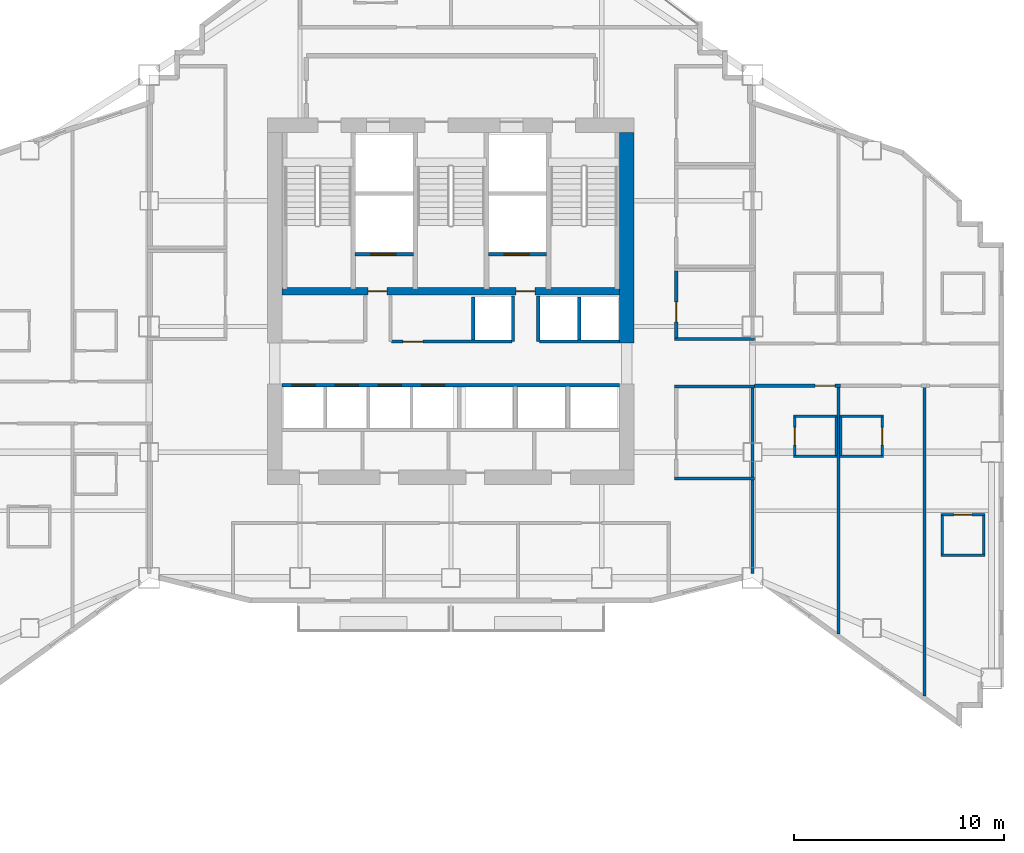
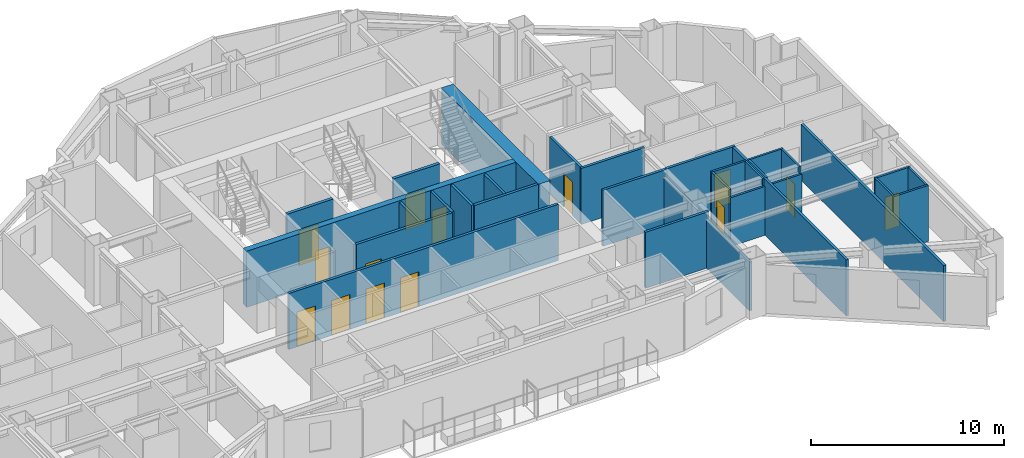
# One storey, part 10 of 15: 32 walls, 14 doors, 14 openings.
"""IFC4 building model written with IfcOpenShell, lengths in metres."""

from ifc_helpers import new_model, si_unit, direction, frame, frame_2d, origin, place, context, subcontext, project, spatial, rectangle, extrude, material, layer, layer_set, type_object, element, fill, save


model = new_model("IFC4")

# Units and contexts
model_context = context("Model", 3, precision=1e-05, world=origin(), true_north=direction((0.0, 1.0)))
body_context = subcontext(model_context, "Body", "Model", "MODEL_VIEW")
ifc_project = project(units=[si_unit("LENGTHUNIT", "METRE"), si_unit("AREAUNIT", "SQUARE_METRE"), si_unit("VOLUMEUNIT", "CUBIC_METRE"), si_unit("PLANEANGLEUNIT", "RADIAN"), si_unit("MASSUNIT", "GRAM", prefix="KILO")], contexts=[model_context])

# Site, building, storey
site_placement = place(None, origin())
site = spatial("IfcSite", under=ifc_project, at=site_placement, CompositionType="ELEMENT")
building_placement = place(site_placement, origin())
building = spatial("IfcBuilding", under=site, at=building_placement, Name="Haolan Belvedere Tower", CompositionType="ELEMENT")
storey_placement = place(building_placement, frame((0.0, 0.0, 156.199951171875)))
storey = spatial("IfcBuildingStorey", under=building, at=storey_placement, Name="L39", CompositionType="ELEMENT", Elevation=156.199951171875)

# Walls
ifc_material_1 = material(Name="Concrete C60/75", Category="concrete")
ifc_layer_1 = layer(ifc_material_1, 0.699951171875, Name="Concrete C60/75")
ifc_layer_set_1 = layer_set([ifc_layer_1], Name="Concrete C60/75")
wall_type_1 = type_object("IfcWallType", Name="WL-CORE-700", PredefinedType="SHEAR", material=ifc_layer_set_1)
wall_1_placement = place(storey_placement, frame((46.800048828125, 32.800048828125, 0.0), z_axis=(0.0, 0.0, 1.0), x_axis=(0.0, 1.0, 0.0)))
element("IfcWall", 1, at=wall_1_placement, inside=storey, type_object=wall_type_1, Name="L39 central core shear wall EN", PredefinedType="SHEAR", context=body_context, shape_type="SweptSolid", body=[
    extrude(rectangle(XDim=10.050048828125, YDim=0.699951171875, at=frame_2d((5.02490234375, 0.0))), origin(), (0.0, 0.0, 1.0), 3.5400390625),
])
ifc_material_2 = material(Name="Double gypsum acoustic stud partition", Category="masonry")
ifc_layer_2 = layer(ifc_material_2, 0.14990234375, Name="Double gypsum acoustic stud partition")
ifc_layer_set_2 = layer_set([ifc_layer_2], Name="Double gypsum acoustic stud partition")
wall_type_2 = type_object("IfcWallType", Name="WL-PART-150", PredefinedType="PARTITIONING", material=ifc_layer_set_2)
wall_2_placement = place(storey_placement, frame((49.080078125, 33.0, 0.0), z_axis=(0.0, 0.0, 1.0), x_axis=(1.0, 0.0, 0.0)))
element("IfcWall", 2, at=wall_2_placement, inside=storey, type_object=wall_type_2, Name="L39 interior partition IW-L39-AWC-S", PredefinedType="PARTITIONING", context=body_context, shape_type="SweptSolid", body=[
    extrude(rectangle(XDim=3.7998046875, YDim=0.14990234375, at=frame_2d((1.89990234375, 0.0))), origin(), (0.0, 0.0, 1.0), 3.5400390625),
])

# Wall, opening, door
wall_3_placement = place(storey_placement, frame((49.159912109375, 33.06005859375, 0.0), z_axis=(0.0, 0.0, 1.0), x_axis=(0.0, 1.0, 0.0)))
wall_3 = element("IfcWall", 3, at=wall_3_placement, inside=storey, type_object=wall_type_2, Name="L39 interior partition IW-L39-AWC-W", PredefinedType="PARTITIONING", context=body_context, shape_type="SweptSolid", body=[
    extrude(rectangle(XDim=3.179931640625, YDim=0.14990234375, at=frame_2d((1.58984375, 0.0))), origin(), (0.0, 0.0, 1.0), 3.5400390625),
])
opening_1_placement = place(wall_3_placement, frame((0.760009765625, 0.0, 0.0)))
opening_1 = element("IfcOpeningElement", 4, at=opening_1_placement, cuts=wall_3, Name="Opening ID-03", PredefinedType="OPENING", context=body_context, shape_type="SweptSolid", body=[
    extrude(rectangle(XDim=0.949951171875, YDim=2.1201171875, at=frame_2d((0.47509765625, 1.06005859375))), frame((0.0, 0.0849609375, 0.0), z_axis=(0.0, -1.0, 0.0), x_axis=(1.0, 0.0, 0.0)), (0.0, 0.0, 1.0), 0.169921875),
])
ifc_material_3 = material(Name="Painted solid-core timber", Category="wood")
door_type_1 = type_object("IfcDoorType", Name="DR-INT-950", OperationType="NOTDEFINED", PredefinedType="DOOR", material=ifc_material_3)
door_1_placement = place(opening_1_placement, origin())
door_1 = element("IfcDoor", 5, at=door_1_placement, inside=storey, type_object=door_type_1, Name="L39 door ID-L39-AWC", OperationType="SINGLE_SWING_LEFT", OverallHeight=2.1201171875, OverallWidth=0.949951171875, PredefinedType="DOOR", context=body_context, shape_type="SweptSolid", body=[
    extrude(rectangle(XDim=0.949951171875, YDim=2.1201171875, at=frame_2d((0.47509765625, 1.06005859375))), frame((0.0, 0.02490234375, 0.0), z_axis=(0.0, -1.0, 0.0), x_axis=(1.0, 0.0, 0.0)), (0.0, 0.0, 1.0), 0.050048828125),
])
fill(opening_1, door_1)

# Walls
for number, where, z_axis, x_axis, name in (
    (6, (49.080078125, 30.72998046875, 0.0), (0.0, 0.0, 1.0), (1.0, 0.0, 0.0), "L39 interior partition IW-L39-PKTE-N"),
    (7, (49.080078125, 26.35009765625, 0.0), (0.0, 0.0, 1.0), (1.0, 0.0, 0.0), "L39 interior partition IW-L39-PKTE-S"),
):
    element("IfcWall", number, at=place(storey_placement, frame(where, z_axis=z_axis, x_axis=x_axis)), inside=storey, type_object=wall_type_2, Name=name, PredefinedType="PARTITIONING", context=body_context, shape_type="SweptSolid", body=[
        extrude(rectangle(XDim=3.7998046875, YDim=0.14990234375, at=frame_2d((1.89990234375, 0.0))), origin(), (0.0, 0.0, 1.0), 3.5400390625),
    ])
wall_4_placement = place(storey_placement, frame((52.800048828125, 26.409912109375, 0.0), z_axis=(0.0, 0.0, 1.0), x_axis=(0.0, 1.0, 0.0)))
element("IfcWall", 8, at=wall_4_placement, inside=storey, type_object=wall_type_2, Name="L39 interior partition IW-L39-PKTE-E", PredefinedType="PARTITIONING", context=body_context, shape_type="SweptSolid", body=[
    extrude(rectangle(XDim=4.260009765625, YDim=0.14990234375, at=frame_2d((2.1298828125, 0.0))), origin(), (0.0, 0.0, 1.0), 3.0849609375),
])

# Wall, opening, door
wall_5_placement = place(storey_placement, frame((52.882080078125, 30.77001953125, 0.0), z_axis=(0.0, 0.0, 1.0), x_axis=(1.0, 0.0, 0.0)))
wall_5 = element("IfcWall", 9, at=wall_5_placement, inside=storey, type_object=wall_type_2, Name="L39 interior partition IW-L39-T4S1-N", PredefinedType="PARTITIONING", context=body_context, shape_type="SweptSolid", body=[
    extrude(rectangle(XDim=4.117919921875, YDim=0.14990234375, at=frame_2d((2.05908203125, 0.0))), origin(), (0.0, 0.0, 1.0), 3.5400390625),
])
opening_2_placement = place(wall_5_placement, frame((3.856201171875, 0.0, 0.0), z_axis=(0.0, 0.0, 1.0), x_axis=(-1.0, 0.0, 0.0)))
opening_2 = element("IfcOpeningElement", 10, at=opening_2_placement, cuts=wall_5, Name="Opening ID-02", PredefinedType="OPENING", context=body_context, shape_type="SweptSolid", body=[
    extrude(rectangle(XDim=0.949951171875, YDim=2.14990234375, at=frame_2d((0.47509765625, 1.074951171875))), frame((0.0, 0.0849609375, 0.0), z_axis=(0.0, -1.0, 0.0), x_axis=(1.0, 0.0, 0.0)), (0.0, 0.0, 1.0), 0.169921875),
])
ifc_material_4 = material(Name="Acoustic oak veneer fire-rated timber", Category="wood")
door_type_2 = type_object("IfcDoorType", Name="DR-GUEST-950", OperationType="NOTDEFINED", PredefinedType="DOOR", material=ifc_material_4)
door_2_placement = place(opening_2_placement, origin())
door_2 = element("IfcDoor", 11, at=door_2_placement, inside=storey, type_object=door_type_2, Name="L39 door ID-L39-T4S1-ENT", OperationType="SINGLE_SWING_RIGHT", OverallHeight=2.14990234375, OverallWidth=0.949951171875, PredefinedType="DOOR", context=body_context, shape_type="SweptSolid", body=[
    extrude(rectangle(XDim=0.949951171875, YDim=2.14990234375, at=frame_2d((0.47509765625, 1.074951171875))), frame((0.0, 0.02490234375, 0.0), z_axis=(0.0, -1.0, 0.0), x_axis=(1.0, 0.0, 0.0)), (0.0, 0.0, 1.0), 0.050048828125),
])
fill(opening_2, door_2)

# Walls
wall_6_placement = place(storey_placement, frame((52.800048828125, 21.818603515625, 0.0), z_axis=(0.0, 0.0, 1.0), x_axis=(0.0, 1.0, 0.0)))
element("IfcWall", 12, at=wall_6_placement, inside=storey, type_object=wall_type_2, Name="L39 interior partition IW-L39-T4S1-W", PredefinedType="PARTITIONING", context=body_context, shape_type="SweptSolid", body=[
    extrude(rectangle(XDim=4.471435546875, YDim=0.14990234375, at=frame_2d((2.23583984375, 0.0))), origin(), (0.0, 0.0, 1.0), 3.0849609375),
])
wall_7_placement = place(storey_placement, frame((56.89990234375, 18.92529296875, 0.0), z_axis=(0.0, 0.0, 1.0), x_axis=(0.0, 1.0, 0.0)))
element("IfcWall", 13, at=wall_7_placement, inside=storey, type_object=wall_type_2, Name="L39 interior partition IW-L39-T4S1-E", PredefinedType="PARTITIONING", context=body_context, shape_type="SweptSolid", body=[
    extrude(rectangle(XDim=11.78466796875, YDim=0.14990234375, at=frame_2d((5.892333984375, 0.0))), origin(), (0.0, 0.0, 1.0), 3.5400390625),
])
wall_8_placement = place(storey_placement, frame((61.010009765625, 15.966064453125, 0.0), z_axis=(0.0, 0.0, 1.0), x_axis=(0.0, 1.0, 0.0)))
element("IfcWall", 14, at=wall_8_placement, inside=storey, type_object=wall_type_2, Name="L39 interior partition IW-L39-T4S2-E", PredefinedType="PARTITIONING", context=body_context, shape_type="SweptSolid", body=[
    extrude(rectangle(XDim=14.743896484375, YDim=0.14990234375, at=frame_2d((7.3720703125, 0.0))), origin(), (0.0, 0.0, 1.0), 3.5400390625),
])
ifc_material_5 = material(Name="Gypsum fire shaftwall assembly", Category="masonry")
ifc_layer_3 = layer(ifc_material_5, 0.1650390625, Name="Gypsum fire shaftwall assembly")
ifc_layer_set_3 = layer_set([ifc_layer_3], Name="Gypsum fire shaftwall assembly")
wall_type_3 = type_object("IfcWallType", Name="WL-SHAFT-160", PredefinedType="SOLIDWALL", material=ifc_layer_set_3)
for number, where, z_axis, x_axis, name in (
    (15, (41.3701171875, 32.8798828125, 0.0), (0.0, 0.0, 1.0), (0.0, 1.0, 0.0), "L39 interior partition IW-L39-SVP-W-SV2"),
    (16, (42.570068359375, 32.8798828125, 0.0), (0.0, 0.0, 1.0), (0.0, 1.0, 0.0), "L39 interior partition IW-L39-SVP-E-SV2"),
):
    element("IfcWall", number, at=place(storey_placement, frame(where, z_axis=z_axis, x_axis=x_axis)), inside=storey, type_object=wall_type_3, Name=name, PredefinedType="SOLIDWALL", context=body_context, shape_type="SweptSolid", body=[
        extrude(rectangle(XDim=2.170166015625, YDim=0.14990234375, at=frame_2d((1.0849609375, 0.0))), origin(), (0.0, 0.0, 1.0), 3.5400390625),
    ])

# Wall, opening, door
wall_9_placement = place(storey_placement, frame((35.570068359375, 32.8798828125, 0.0), z_axis=(0.0, 0.0, 1.0), x_axis=(1.0, 0.0, 0.0)))
wall_9 = element("IfcWall", 17, at=wall_9_placement, inside=storey, type_object=wall_type_3, Name="L39 interior partition IW-L39-ROW-PN2", PredefinedType="SOLIDWALL", context=body_context, shape_type="SweptSolid", body=[
    extrude(rectangle(XDim=5.739990234375, YDim=0.159912109375, at=frame_2d((2.8701171875, 0.0))), origin(), (0.0, 0.0, 1.0), 3.5400390625),
])
opening_3_placement = place(wall_9_placement, frame((1.489990234375, 0.0, 0.0), z_axis=(0.0, 0.0, 1.0), x_axis=(-1.0, 0.0, 0.0)))
opening_3 = element("IfcOpeningElement", 18, at=opening_3_placement, cuts=wall_9, Name="Opening ID-03", PredefinedType="OPENING", context=body_context, shape_type="SweptSolid", body=[
    extrude(rectangle(XDim=0.949951171875, YDim=2.1201171875, at=frame_2d((0.47509765625, 1.06005859375))), frame((0.0, 0.08984375, 0.0), z_axis=(0.0, -1.0, 0.0), x_axis=(1.0, 0.0, 0.0)), (0.0, 0.0, 1.0), 0.179931640625),
])
door_3_placement = place(opening_3_placement, origin())
door_3 = element("IfcDoor", 19, at=door_3_placement, inside=storey, type_object=door_type_1, Name="L39 door ID-L39-CD-RPLE", OperationType="SINGLE_SWING_RIGHT", OverallHeight=2.1201171875, OverallWidth=0.949951171875, PredefinedType="DOOR", context=body_context, shape_type="SweptSolid", body=[
    extrude(rectangle(XDim=0.949951171875, YDim=2.1201171875, at=frame_2d((0.47509765625, 1.06005859375))), frame((0.0, 0.02490234375, 0.0), z_axis=(0.0, -1.0, 0.0), x_axis=(1.0, 0.0, 0.0)), (0.0, 0.0, 1.0), 0.050048828125),
])
fill(opening_3, door_3)

# Walls
wall_10_placement = place(storey_placement, frame((42.6298828125, 32.8798828125, 0.0), z_axis=(0.0, 0.0, 1.0), x_axis=(1.0, 0.0, 0.0)))
element("IfcWall", 20, at=wall_10_placement, inside=storey, type_object=wall_type_3, Name="L39 interior partition IW-L39-ROW-PN3", PredefinedType="SOLIDWALL", context=body_context, shape_type="SweptSolid", body=[
    extrude(rectangle(XDim=3.820068359375, YDim=0.159912109375, at=frame_2d((1.91015625, 0.0))), origin(), (0.0, 0.0, 1.0), 3.5400390625),
])
for number, where, z_axis, x_axis, name in (
    (21, (39.469970703125, 32.949951171875, 0.0), (0.0, 0.0, 1.0), (0.0, 1.0, 0.0), "L39 interior partition IW-L39-DIV-PL4R"),
    (22, (44.530029296875, 32.949951171875, 0.0), (0.0, 0.0, 1.0), (0.0, 1.0, 0.0), "L39 interior partition IW-L39-DIV-PH2"),
):
    element("IfcWall", number, at=place(storey_placement, frame(where, z_axis=z_axis, x_axis=x_axis)), inside=storey, type_object=wall_type_3, Name=name, PredefinedType="SOLIDWALL", context=body_context, shape_type="SweptSolid", body=[
        extrude(rectangle(XDim=2.050048828125, YDim=0.14990234375, at=frame_2d((1.02490234375, 0.0))), origin(), (0.0, 0.0, 1.0), 3.5400390625),
    ])

# Wall, openings, doors
wall_11_placement = place(storey_placement, frame((30.35009765625, 30.800048828125, 0.0), z_axis=(0.0, 0.0, 1.0), x_axis=(1.0, 0.0, 0.0)))
wall_11 = element("IfcWall", 23, at=wall_11_placement, inside=storey, type_object=wall_type_3, Name="L39 interior partition IW-L39-ROW-PS", PredefinedType="SOLIDWALL", context=body_context, shape_type="SweptSolid", body=[
    extrude(rectangle(XDim=16.099853515625, YDim=0.159912109375, at=frame_2d((8.0498046875, 0.0))), origin(), (0.0, 0.0, 1.0), 3.5400390625),
])
opening_4_placement = place(wall_11_placement, frame((0.469970703125, 0.0, 0.0)))
opening_4 = element("IfcOpeningElement", 24, at=opening_4_placement, cuts=wall_11, Name="Opening LD-01", PredefinedType="OPENING", context=body_context, shape_type="SweptSolid", body=[
    extrude(rectangle(XDim=1.10009765625, YDim=2.199951171875, at=frame_2d((0.550048828125, 1.10009765625))), frame((0.0, 0.08984375, 0.0), z_axis=(0.0, -1.0, 0.0), x_axis=(1.0, 0.0, 0.0)), (0.0, 0.0, 1.0), 0.179931640625),
])
opening_5_placement = place(wall_11_placement, frame((2.530029296875, 0.0, 0.0)))
opening_5 = element("IfcOpeningElement", 25, at=opening_5_placement, cuts=wall_11, Name="Opening LD-01", PredefinedType="OPENING", context=body_context, shape_type="SweptSolid", body=[
    extrude(rectangle(XDim=1.10009765625, YDim=2.199951171875, at=frame_2d((0.550048828125, 1.10009765625))), frame((0.0, 0.08984375, 0.0), z_axis=(0.0, -1.0, 0.0), x_axis=(1.0, 0.0, 0.0)), (0.0, 0.0, 1.0), 0.179931640625),
])
opening_6_placement = place(wall_11_placement, frame((4.590087890625, 0.0, 0.0)))
opening_6 = element("IfcOpeningElement", 26, at=opening_6_placement, cuts=wall_11, Name="Opening LD-01", PredefinedType="OPENING", context=body_context, shape_type="SweptSolid", body=[
    extrude(rectangle(XDim=1.10009765625, YDim=2.199951171875, at=frame_2d((0.550048828125, 1.10009765625))), frame((0.0, 0.08984375, 0.0), z_axis=(0.0, -1.0, 0.0), x_axis=(1.0, 0.0, 0.0)), (0.0, 0.0, 1.0), 0.179931640625),
])
opening_7_placement = place(wall_11_placement, frame((6.64990234375, 0.0, 0.0)))
opening_7 = element("IfcOpeningElement", 27, at=opening_7_placement, cuts=wall_11, Name="Opening LD-01", PredefinedType="OPENING", context=body_context, shape_type="SweptSolid", body=[
    extrude(rectangle(XDim=1.10009765625, YDim=2.199951171875, at=frame_2d((0.550048828125, 1.10009765625))), frame((0.0, 0.08984375, 0.0), z_axis=(0.0, -1.0, 0.0), x_axis=(1.0, 0.0, 0.0)), (0.0, 0.0, 1.0), 0.179931640625),
])
ifc_material_6 = material(Name="Brushed champagne stainless steel 316L", Category="steel")
door_type_3 = type_object("IfcDoorType", Name="DR-LIFT-1100", OperationType="SLIDING_TO_LEFT", PredefinedType="DOOR", material=ifc_material_6)
door_4_placement = place(opening_4_placement, origin())
door_4 = element("IfcDoor", 28, at=door_4_placement, inside=storey, type_object=door_type_3, Name="L39 door ID-L39-LD-PM1", OperationType="SLIDING_TO_LEFT", OverallHeight=2.199951171875, OverallWidth=1.10009765625, PredefinedType="DOOR", context=body_context, shape_type="SweptSolid", body=[
    extrude(rectangle(XDim=1.10009765625, YDim=2.199951171875, at=frame_2d((0.550048828125, 1.10009765625))), frame((0.0, 0.02490234375, 0.0), z_axis=(0.0, -1.0, 0.0), x_axis=(1.0, 0.0, 0.0)), (0.0, 0.0, 1.0), 0.050048828125),
])
fill(opening_4, door_4)
door_5_placement = place(opening_5_placement, origin())
door_5 = element("IfcDoor", 29, at=door_5_placement, inside=storey, type_object=door_type_3, Name="L39 door ID-L39-LD-PM2", OperationType="SLIDING_TO_LEFT", OverallHeight=2.199951171875, OverallWidth=1.10009765625, PredefinedType="DOOR", context=body_context, shape_type="SweptSolid", body=[
    extrude(rectangle(XDim=1.10009765625, YDim=2.199951171875, at=frame_2d((0.550048828125, 1.10009765625))), frame((0.0, 0.02490234375, 0.0), z_axis=(0.0, -1.0, 0.0), x_axis=(1.0, 0.0, 0.0)), (0.0, 0.0, 1.0), 0.050048828125),
])
fill(opening_5, door_5)
door_6_placement = place(opening_6_placement, origin())
door_6 = element("IfcDoor", 30, at=door_6_placement, inside=storey, type_object=door_type_3, Name="L39 door ID-L39-LD-PM3", OperationType="SLIDING_TO_LEFT", OverallHeight=2.199951171875, OverallWidth=1.10009765625, PredefinedType="DOOR", context=body_context, shape_type="SweptSolid", body=[
    extrude(rectangle(XDim=1.10009765625, YDim=2.199951171875, at=frame_2d((0.550048828125, 1.10009765625))), frame((0.0, 0.02490234375, 0.0), z_axis=(0.0, -1.0, 0.0), x_axis=(1.0, 0.0, 0.0)), (0.0, 0.0, 1.0), 0.050048828125),
])
fill(opening_6, door_6)
door_7_placement = place(opening_7_placement, origin())
door_7 = element("IfcDoor", 31, at=door_7_placement, inside=storey, type_object=door_type_3, Name="L39 door ID-L39-LD-PM4", OperationType="SLIDING_TO_LEFT", OverallHeight=2.199951171875, OverallWidth=1.10009765625, PredefinedType="DOOR", context=body_context, shape_type="SweptSolid", body=[
    extrude(rectangle(XDim=1.10009765625, YDim=2.199951171875, at=frame_2d((0.550048828125, 1.10009765625))), frame((0.0, 0.02490234375, 0.0), z_axis=(0.0, -1.0, 0.0), x_axis=(1.0, 0.0, 0.0)), (0.0, 0.0, 1.0), 0.050048828125),
])
fill(opening_7, door_7)

# Wall, opening, door
ifc_material_7 = material(Name="Precast concrete C40/50", Category="concrete")
ifc_layer_4 = layer(ifc_material_7, 0.179931640625, Name="Precast concrete C40/50")
ifc_layer_set_4 = layer_set([ifc_layer_4], Name="Precast concrete C40/50")
wall_type_4 = type_object("IfcWallType", Name="WL-SHAFT-180", PredefinedType="SOLIDWALL", material=ifc_layer_set_4)
wall_12_placement = place(storey_placement, frame((33.8349609375, 37.050048828125, 0.0), z_axis=(0.0, 0.0, 1.0), x_axis=(1.0, 0.0, 0.0)))
wall_12 = element("IfcWall", 32, at=wall_12_placement, inside=storey, type_object=wall_type_4, Name="L39 interior partition IW-L39-SV1-S", PredefinedType="SOLIDWALL", context=body_context, shape_type="SweptSolid", body=[
    extrude(rectangle(XDim=2.77001953125, YDim=0.179931640625, at=frame_2d((1.385009765625, 0.0))), origin(), (0.0, 0.0, 1.0), 3.5400390625),
])
opening_8_placement = place(wall_12_placement, frame((1.945068359375, 0.0, 0.0), z_axis=(0.0, 0.0, 1.0), x_axis=(-1.0, 0.0, 0.0)))
opening_8 = element("IfcOpeningElement", 33, at=opening_8_placement, cuts=wall_12, Name="Opening LD-02", PredefinedType="OPENING", context=body_context, shape_type="SweptSolid", body=[
    extrude(rectangle(XDim=1.199951171875, YDim=2.199951171875, at=frame_2d((0.60009765625, 1.10009765625))), frame((0.0, 0.099853515625, 0.0), z_axis=(0.0, -1.0, 0.0), x_axis=(1.0, 0.0, 0.0)), (0.0, 0.0, 1.0), 0.199951171875),
])
door_type_4 = type_object("IfcDoorType", Name="DR-LIFT-1200", OperationType="SLIDING_TO_RIGHT", PredefinedType="DOOR", material=ifc_material_6)
door_8_placement = place(opening_8_placement, origin())
door_8 = element("IfcDoor", 34, at=door_8_placement, inside=storey, type_object=door_type_4, Name="L39 door ID-L39-LD-SV1", OperationType="SLIDING_TO_RIGHT", OverallHeight=2.199951171875, OverallWidth=1.199951171875, PredefinedType="DOOR", context=body_context, shape_type="SweptSolid", body=[
    extrude(rectangle(XDim=1.199951171875, YDim=2.199951171875, at=frame_2d((0.60009765625, 1.10009765625))), frame((0.0, 0.02490234375, 0.0), z_axis=(0.0, -1.0, 0.0), x_axis=(1.0, 0.0, 0.0)), (0.0, 0.0, 1.0), 0.050048828125),
])
fill(opening_8, door_8)

wall_13_placement = place(storey_placement, frame((40.195068359375, 37.050048828125, 0.0), z_axis=(0.0, 0.0, 1.0), x_axis=(1.0, 0.0, 0.0)))
wall_13 = element("IfcWall", 35, at=wall_13_placement, inside=storey, type_object=wall_type_4, Name="L39 interior partition IW-L39-SV2-S", PredefinedType="SOLIDWALL", context=body_context, shape_type="SweptSolid", body=[
    extrude(rectangle(XDim=2.77001953125, YDim=0.179931640625, at=frame_2d((1.385009765625, 0.0))), origin(), (0.0, 0.0, 1.0), 3.5400390625),
])
opening_9_placement = place(wall_13_placement, frame((1.945068359375, 0.0, 0.0), z_axis=(0.0, 0.0, 1.0), x_axis=(-1.0, 0.0, 0.0)))
opening_9 = element("IfcOpeningElement", 36, at=opening_9_placement, cuts=wall_13, Name="Opening LD-02", PredefinedType="OPENING", context=body_context, shape_type="SweptSolid", body=[
    extrude(rectangle(XDim=1.199951171875, YDim=2.199951171875, at=frame_2d((0.60009765625, 1.10009765625))), frame((0.0, 0.099853515625, 0.0), z_axis=(0.0, -1.0, 0.0), x_axis=(1.0, 0.0, 0.0)), (0.0, 0.0, 1.0), 0.199951171875),
])
door_9_placement = place(opening_9_placement, origin())
door_9 = element("IfcDoor", 37, at=door_9_placement, inside=storey, type_object=door_type_4, Name="L39 door ID-L39-LD-SV2", OperationType="SLIDING_TO_RIGHT", OverallHeight=2.199951171875, OverallWidth=1.199951171875, PredefinedType="DOOR", context=body_context, shape_type="SweptSolid", body=[
    extrude(rectangle(XDim=1.199951171875, YDim=2.199951171875, at=frame_2d((0.60009765625, 1.10009765625))), frame((0.0, 0.02490234375, 0.0), z_axis=(0.0, -1.0, 0.0), x_axis=(1.0, 0.0, 0.0)), (0.0, 0.0, 1.0), 0.050048828125),
])
fill(opening_9, door_9)

# Wall, openings, doors
ifc_layer_5 = layer(ifc_material_1, 0.360107421875, Name="Concrete C60/75")
ifc_layer_set_5 = layer_set([ifc_layer_5], Name="Concrete C60/75")
wall_type_5 = type_object("IfcWallType", Name="WL-WEB-350", PredefinedType="SHEAR", material=ifc_layer_set_5)
wall_14_placement = place(storey_placement, frame((30.35009765625, 35.2900390625, 0.0), z_axis=(0.0, 0.0, 1.0), x_axis=(1.0, 0.0, 0.0)))
wall_14 = element("IfcWall", 38, at=wall_14_placement, inside=storey, type_object=wall_type_5, Name="L39 central core internal shear web", PredefinedType="SHEAR", context=body_context, shape_type="SweptSolid", body=[
    extrude(rectangle(XDim=16.099853515625, YDim=0.360107421875, at=frame_2d((8.0498046875, 0.0))), origin(), (0.0, 0.0, 1.0), 3.5400390625),
])
opening_10_placement = place(wall_14_placement, frame((5.0, 0.0, 0.0), z_axis=(0.0, 0.0, 1.0), x_axis=(-1.0, 0.0, 0.0)))
opening_10 = element("IfcOpeningElement", 39, at=opening_10_placement, cuts=wall_14, Name="Opening FD-05", PredefinedType="OPENING", context=body_context, shape_type="SweptSolid", body=[
    extrude(rectangle(XDim=0.89990234375, YDim=2.10009765625, at=frame_2d((0.449951171875, 1.050048828125))), frame((0.0, 0.18994140625, 0.0), z_axis=(0.0, -1.0, 0.0), x_axis=(1.0, 0.0, 0.0)), (0.0, 0.0, 1.0), 0.380126953125),
])
opening_11_placement = place(wall_14_placement, frame((12.059814453125, 0.0, 0.0), z_axis=(0.0, 0.0, 1.0), x_axis=(-1.0, 0.0, 0.0)))
opening_11 = element("IfcOpeningElement", 40, at=opening_11_placement, cuts=wall_14, Name="Opening FD-05", PredefinedType="OPENING", context=body_context, shape_type="SweptSolid", body=[
    extrude(rectangle(XDim=0.89990234375, YDim=2.10009765625, at=frame_2d((0.449951171875, 1.050048828125))), frame((0.0, 0.18994140625, 0.0), z_axis=(0.0, -1.0, 0.0), x_axis=(1.0, 0.0, 0.0)), (0.0, 0.0, 1.0), 0.380126953125),
])
ifc_material_8 = material(Name="Galvanised fire-rated steel", Category="steel")
door_type_5 = type_object("IfcDoorType", Name="DR-FD60-900", OperationType="NOTDEFINED", PredefinedType="DOOR", material=ifc_material_8)
door_10_placement = place(opening_10_placement, origin())
door_10 = element("IfcDoor", 41, at=door_10_placement, inside=storey, type_object=door_type_5, Name="L39 door CD-L39-SVL-SV1", OperationType="SINGLE_SWING_RIGHT", OverallHeight=2.10009765625, OverallWidth=0.89990234375, PredefinedType="DOOR", context=body_context, shape_type="SweptSolid", body=[
    extrude(rectangle(XDim=0.89990234375, YDim=2.10009765625, at=frame_2d((0.449951171875, 1.050048828125))), frame((0.0, 0.02490234375, 0.0), z_axis=(0.0, -1.0, 0.0), x_axis=(1.0, 0.0, 0.0)), (0.0, 0.0, 1.0), 0.050048828125),
])
fill(opening_10, door_10)
door_11_placement = place(opening_11_placement, origin())
door_11 = element("IfcDoor", 42, at=door_11_placement, inside=storey, type_object=door_type_5, Name="L39 door CD-L39-SVL-SV2", OperationType="SINGLE_SWING_RIGHT", OverallHeight=2.10009765625, OverallWidth=0.89990234375, PredefinedType="DOOR", context=body_context, shape_type="SweptSolid", body=[
    extrude(rectangle(XDim=0.89990234375, YDim=2.10009765625, at=frame_2d((0.449951171875, 1.050048828125))), frame((0.0, 0.02490234375, 0.0), z_axis=(0.0, -1.0, 0.0), x_axis=(1.0, 0.0, 0.0)), (0.0, 0.0, 1.0), 0.050048828125),
])
fill(opening_11, door_11)

# Walls
ifc_material_9 = material(Name="Moisture-resistant gypsum tile partition", Category="masonry")
ifc_layer_6 = layer(ifc_material_9, 0.1201171875, Name="Moisture-resistant gypsum tile partition")
ifc_layer_set_6 = layer_set([ifc_layer_6], Name="Moisture-resistant gypsum tile partition")
wall_type_6 = type_object("IfcWallType", Name="WL-WET-120", PredefinedType="PARTITIONING", material=ifc_layer_set_6)
wall_15_placement = place(storey_placement, frame((54.760009765625, 29.320068359375, 0.0), z_axis=(0.0, 0.0, 1.0), x_axis=(1.0, 0.0, 0.0)))
element("IfcWall", 43, at=wall_15_placement, inside=storey, type_object=wall_type_6, Name="L39 interior partition IW-L39-T4S1-BN", PredefinedType="PARTITIONING", context=body_context, shape_type="SweptSolid", body=[
    extrude(rectangle(XDim=2.080078125, YDim=0.1201171875, at=frame_2d((1.0400390625, 0.0))), origin(), (0.0, 0.0, 1.0), 3.5400390625),
])
wall_16_placement = place(storey_placement, frame((54.760009765625, 27.39990234375, 0.0), z_axis=(0.0, 0.0, 1.0), x_axis=(1.0, 0.0, 0.0)))
element("IfcWall", 44, at=wall_16_placement, inside=storey, type_object=wall_type_6, Name="L39 interior partition IW-L39-T4S1-BS", PredefinedType="PARTITIONING", context=body_context, shape_type="SweptSolid", body=[
    extrude(rectangle(XDim=2.080078125, YDim=0.1201171875, at=frame_2d((1.0400390625, 0.0))), origin(), (0.0, 0.0, 1.0), 3.0849609375),
])

# Wall, opening, door
wall_17_placement = place(storey_placement, frame((54.820068359375, 27.445068359375, 0.0), z_axis=(0.0, 0.0, 1.0), x_axis=(0.0, 1.0, 0.0)))
wall_17 = element("IfcWall", 45, at=wall_17_placement, inside=storey, type_object=wall_type_6, Name="L39 interior partition IW-L39-T4S1-BW", PredefinedType="PARTITIONING", context=body_context, shape_type="SweptSolid", body=[
    extrude(rectangle(XDim=1.829833984375, YDim=0.1201171875, at=frame_2d((0.9150390625, 0.0))), origin(), (0.0, 0.0, 1.0), 3.5400390625),
])
opening_12_placement = place(wall_17_placement, frame((1.340087890625, 0.0, 0.0), z_axis=(0.0, 0.0, 1.0), x_axis=(-1.0, 0.0, 0.0)))
opening_12 = element("IfcOpeningElement", 46, at=opening_12_placement, cuts=wall_17, Name="Opening ID-05", PredefinedType="OPENING", context=body_context, shape_type="SweptSolid", body=[
    extrude(rectangle(XDim=0.85009765625, YDim=2.10009765625, at=frame_2d((0.425048828125, 1.050048828125))), frame((0.0, 0.070068359375, 0.0), z_axis=(0.0, -1.0, 0.0), x_axis=(1.0, 0.0, 0.0)), (0.0, 0.0, 1.0), 0.14013671875),
])
ifc_material_10 = material(Name="Moisture-resistant lacquered timber", Category="wood")
door_type_6 = type_object("IfcDoorType", Name="DR-BATH-850", OperationType="NOTDEFINED", PredefinedType="DOOR", material=ifc_material_10)
door_12_placement = place(opening_12_placement, origin())
door_12 = element("IfcDoor", 47, at=door_12_placement, inside=storey, type_object=door_type_6, Name="L39 door ID-L39-T4S1-BATH", OperationType="SINGLE_SWING_LEFT", OverallHeight=2.10009765625, OverallWidth=0.85009765625, PredefinedType="DOOR", context=body_context, shape_type="SweptSolid", body=[
    extrude(rectangle(XDim=0.85009765625, YDim=2.10009765625, at=frame_2d((0.425048828125, 1.050048828125))), frame((0.0, 0.02490234375, 0.0), z_axis=(0.0, -1.0, 0.0), x_axis=(1.0, 0.0, 0.0)), (0.0, 0.0, 1.0), 0.050048828125),
])
fill(opening_12, door_12)

# Walls
wall_18_placement = place(storey_placement, frame((56.800048828125, 27.445068359375, 0.0), z_axis=(0.0, 0.0, 1.0), x_axis=(0.0, 1.0, 0.0)))
element("IfcWall", 48, at=wall_18_placement, inside=storey, type_object=wall_type_6, Name="L39 interior partition IW-L39-T4S1-BE", PredefinedType="PARTITIONING", context=body_context, shape_type="SweptSolid", body=[
    extrude(rectangle(XDim=1.829833984375, YDim=0.1201171875, at=frame_2d((0.9150390625, 0.0))), origin(), (0.0, 0.0, 1.0), 3.5400390625),
])
wall_19_placement = place(storey_placement, frame((56.9599609375, 29.320068359375, 0.0), z_axis=(0.0, 0.0, 1.0), x_axis=(1.0, 0.0, 0.0)))
element("IfcWall", 49, at=wall_19_placement, inside=storey, type_object=wall_type_6, Name="L39 interior partition IW-L39-T4S2-BN", PredefinedType="PARTITIONING", context=body_context, shape_type="SweptSolid", body=[
    extrude(rectangle(XDim=2.080078125, YDim=0.1201171875, at=frame_2d((1.0400390625, 0.0))), origin(), (0.0, 0.0, 1.0), 3.5400390625),
])
wall_20_placement = place(storey_placement, frame((56.9599609375, 27.39990234375, 0.0), z_axis=(0.0, 0.0, 1.0), x_axis=(1.0, 0.0, 0.0)))
element("IfcWall", 50, at=wall_20_placement, inside=storey, type_object=wall_type_6, Name="L39 interior partition IW-L39-T4S2-BS", PredefinedType="PARTITIONING", context=body_context, shape_type="SweptSolid", body=[
    extrude(rectangle(XDim=2.080078125, YDim=0.1201171875, at=frame_2d((1.0400390625, 0.0))), origin(), (0.0, 0.0, 1.0), 3.0849609375),
])
wall_21_placement = place(storey_placement, frame((57.0, 27.445068359375, 0.0), z_axis=(0.0, 0.0, 1.0), x_axis=(0.0, 1.0, 0.0)))
element("IfcWall", 51, at=wall_21_placement, inside=storey, type_object=wall_type_6, Name="L39 interior partition IW-L39-T4S2-BW", PredefinedType="PARTITIONING", context=body_context, shape_type="SweptSolid", body=[
    extrude(rectangle(XDim=1.829833984375, YDim=0.1201171875, at=frame_2d((0.9150390625, 0.0))), origin(), (0.0, 0.0, 1.0), 3.5400390625),
])

# Wall, opening, door
wall_22_placement = place(storey_placement, frame((58.97998046875, 27.445068359375, 0.0), z_axis=(0.0, 0.0, 1.0), x_axis=(0.0, 1.0, 0.0)))
wall_22 = element("IfcWall", 52, at=wall_22_placement, inside=storey, type_object=wall_type_6, Name="L39 interior partition IW-L39-T4S2-BE", PredefinedType="PARTITIONING", context=body_context, shape_type="SweptSolid", body=[
    extrude(rectangle(XDim=1.829833984375, YDim=0.1201171875, at=frame_2d((0.9150390625, 0.0))), origin(), (0.0, 0.0, 1.0), 3.5400390625),
])
opening_13_placement = place(wall_22_placement, frame((0.489990234375, 0.0, 0.0)))
opening_13 = element("IfcOpeningElement", 53, at=opening_13_placement, cuts=wall_22, Name="Opening ID-05", PredefinedType="OPENING", context=body_context, shape_type="SweptSolid", body=[
    extrude(rectangle(XDim=0.85009765625, YDim=2.10009765625, at=frame_2d((0.425048828125, 1.050048828125))), frame((0.0, 0.070068359375, 0.0), z_axis=(0.0, -1.0, 0.0), x_axis=(1.0, 0.0, 0.0)), (0.0, 0.0, 1.0), 0.14013671875),
])
door_13_placement = place(opening_13_placement, origin())
door_13 = element("IfcDoor", 54, at=door_13_placement, inside=storey, type_object=door_type_6, Name="L39 door ID-L39-T4S2-BATH", OperationType="SINGLE_SWING_RIGHT", OverallHeight=2.10009765625, OverallWidth=0.85009765625, PredefinedType="DOOR", context=body_context, shape_type="SweptSolid", body=[
    extrude(rectangle(XDim=0.85009765625, YDim=2.10009765625, at=frame_2d((0.425048828125, 1.050048828125))), frame((0.0, 0.02490234375, 0.0), z_axis=(0.0, -1.0, 0.0), x_axis=(1.0, 0.0, 0.0)), (0.0, 0.0, 1.0), 0.050048828125),
])
fill(opening_13, door_13)

wall_23_placement = place(storey_placement, frame((61.797119140625, 24.610107421875, 0.0), z_axis=(0.0, 0.0, 1.0), x_axis=(1.0, 0.0, 0.0)))
wall_23 = element("IfcWall", 55, at=wall_23_placement, inside=storey, type_object=wall_type_6, Name="L39 interior partition IW-L39-T4S3-BN", PredefinedType="PARTITIONING", context=body_context, shape_type="SweptSolid", body=[
    extrude(rectangle(XDim=2.099853515625, YDim=0.1201171875, at=frame_2d((1.0498046875, 0.0))), origin(), (0.0, 0.0, 1.0), 3.5400390625),
])
opening_14_placement = place(wall_23_placement, frame((1.47509765625, 0.0, 0.0), z_axis=(0.0, 0.0, 1.0), x_axis=(-1.0, 0.0, 0.0)))
opening_14 = element("IfcOpeningElement", 56, at=opening_14_placement, cuts=wall_23, Name="Opening ID-05", PredefinedType="OPENING", context=body_context, shape_type="SweptSolid", body=[
    extrude(rectangle(XDim=0.85009765625, YDim=2.10009765625, at=frame_2d((0.425048828125, 1.050048828125))), frame((0.0, 0.070068359375, 0.0), z_axis=(0.0, -1.0, 0.0), x_axis=(1.0, 0.0, 0.0)), (0.0, 0.0, 1.0), 0.14013671875),
])
door_14_placement = place(opening_14_placement, origin())
door_14 = element("IfcDoor", 57, at=door_14_placement, inside=storey, type_object=door_type_6, Name="L39 door ID-L39-T4S3-BATH", OperationType="SINGLE_SWING_LEFT", OverallHeight=2.10009765625, OverallWidth=0.85009765625, PredefinedType="DOOR", context=body_context, shape_type="SweptSolid", body=[
    extrude(rectangle(XDim=0.85009765625, YDim=2.10009765625, at=frame_2d((0.425048828125, 1.050048828125))), frame((0.0, 0.02490234375, 0.0), z_axis=(0.0, -1.0, 0.0), x_axis=(1.0, 0.0, 0.0)), (0.0, 0.0, 1.0), 0.050048828125),
])
fill(opening_14, door_14)

# Walls
wall_24_placement = place(storey_placement, frame((61.797119140625, 22.68994140625, 0.0), z_axis=(0.0, 0.0, 1.0), x_axis=(1.0, 0.0, 0.0)))
element("IfcWall", 58, at=wall_24_placement, inside=storey, type_object=wall_type_6, Name="L39 interior partition IW-L39-T4S3-BS", PredefinedType="PARTITIONING", context=body_context, shape_type="SweptSolid", body=[
    extrude(rectangle(XDim=2.099853515625, YDim=0.1201171875, at=frame_2d((1.0498046875, 0.0))), origin(), (0.0, 0.0, 1.0), 3.5400390625),
])
for number, where, z_axis, x_axis, name in (
    (59, (61.85693359375, 22.735107421875, 0.0), (0.0, 0.0, 1.0), (0.0, 1.0, 0.0), "L39 interior partition IW-L39-T4S3-BW"),
    (60, (63.8369140625, 22.735107421875, 0.0), (0.0, 0.0, 1.0), (0.0, 1.0, 0.0), "L39 interior partition IW-L39-T4S3-BE"),
):
    element("IfcWall", number, at=place(storey_placement, frame(where, z_axis=z_axis, x_axis=x_axis)), inside=storey, type_object=wall_type_6, Name=name, PredefinedType="PARTITIONING", context=body_context, shape_type="SweptSolid", body=[
        extrude(rectangle(XDim=1.829833984375, YDim=0.1201171875, at=frame_2d((0.9150390625, 0.0))), origin(), (0.0, 0.0, 1.0), 3.5400390625),
    ])

save(model, "model.ifc")
